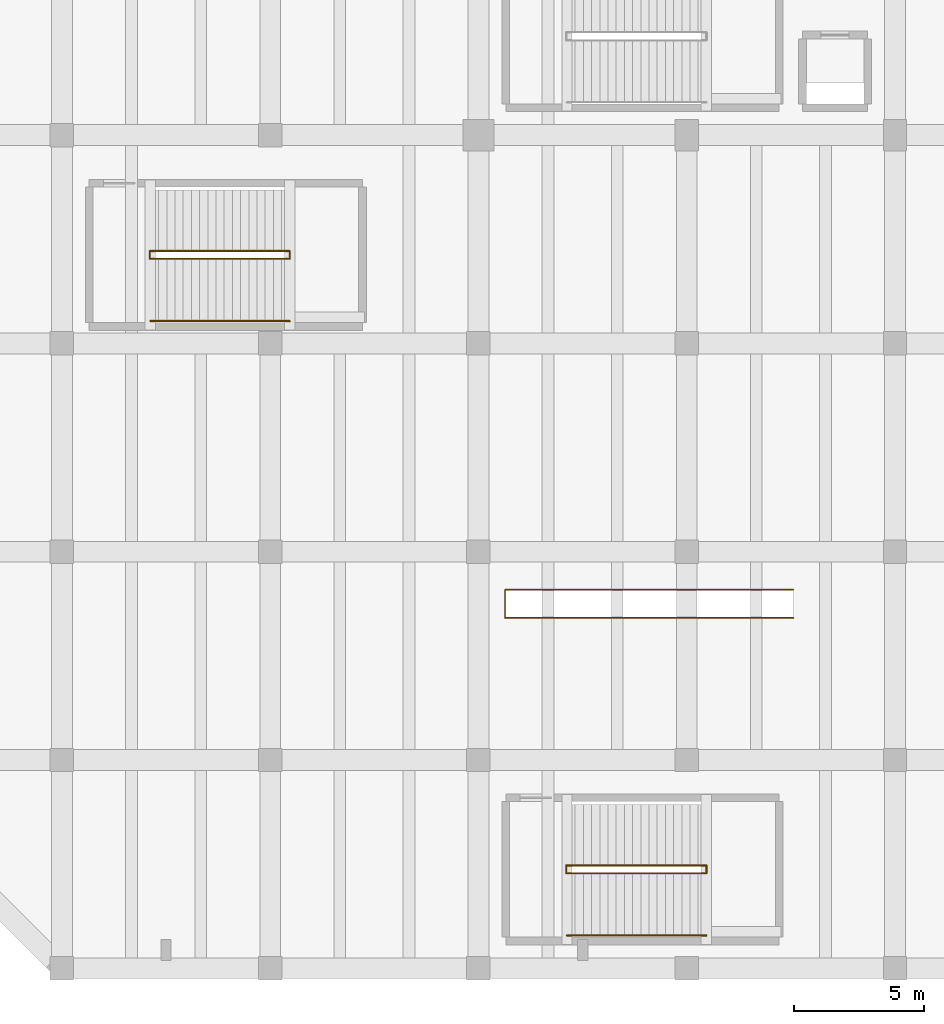
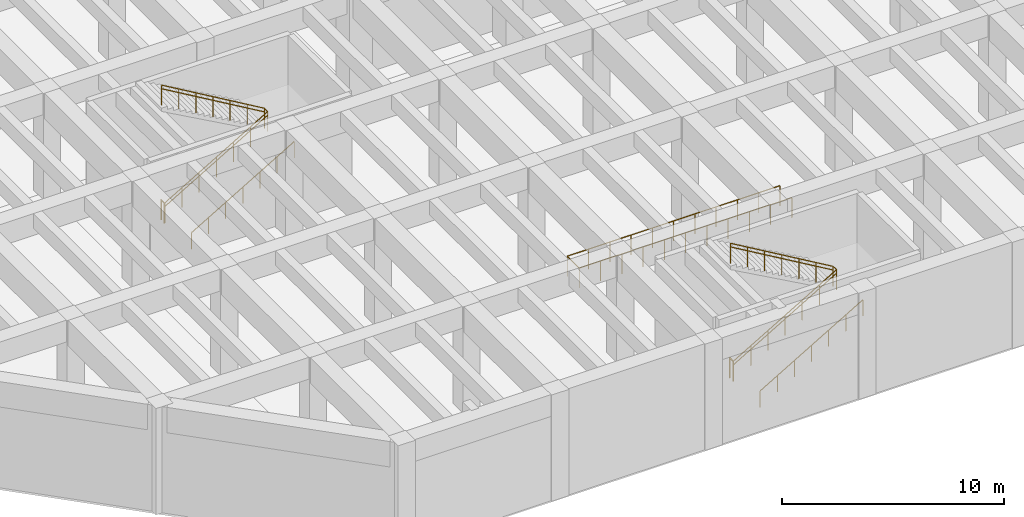
# One storey, part 15 of 24: 13 railings.
"""IFC4 building model written with IfcOpenShell, lengths in metres."""

import ifcopenshell
import ifcopenshell.guid

model = None  # the IFC model being written
_history = None  # IfcOwnerHistory: only IFC2X3 demands one
_inside = {}  # id of a spatial element -> (the spatial element, [elements in it])
_under = {}  # id of a project, library or spatial element -> (it, [spatial elements below it])
_declared = {}  # id of a project -> (the project, [libraries it declares])
_typed = {}  # id of a type object -> (the type object, [elements of that type])
_made_of = {}  # id of a material, layer set ... -> (it, [elements and type objects made of it])


def new_model(schema):
    """Start an empty IFC model of exactly this schema.

    Asked for "IFC4X3", IfcOpenShell would pick the latest addendum, in which some entities
    have other attributes; the version numbers below select the first issue.
    IFC2X3 requires an IfcOwnerHistory on every rooted entity: one is made here for all.
    """
    global model, _history
    if schema == "IFC4X3":
        model = ifcopenshell.file(schema_version=(4, 3, 0, 0))
    else:
        model = ifcopenshell.file(schema=schema)
    _inside.clear()
    _under.clear()
    _declared.clear()
    _typed.clear()
    _made_of.clear()
    _history = None
    if model.schema == "IFC2X3":
        org = make("IfcOrganization", Name="unknown")
        user = make(
            "IfcPersonAndOrganization",
            ThePerson=make("IfcPerson", FamilyName="unknown"),
            TheOrganization=org,
        )
        app = make(
            "IfcApplication",
            ApplicationDeveloper=org,
            Version="unknown",
            ApplicationFullName="unknown",
            ApplicationIdentifier="unknown",
        )
        _history = make(
            "IfcOwnerHistory",
            OwningUser=user,
            OwningApplication=app,
            ChangeAction="ADDED",
            CreationDate=0,
        )
    return model


def make(cls, **values):
    """One entity of the class cls with the attributes given. An attribute that is None is left unset."""
    return model.create_entity(
        cls, **{name: value for name, value in values.items() if value is not None}
    )


def rooted(cls, **values):
    """An entity with a GlobalId (a new one), such as an element, a storey or a relation."""
    return make(cls, GlobalId=ifcopenshell.guid.new(), OwnerHistory=_history, **values)


def si_unit(unit_type, name, prefix=None):
    """IfcSIUnit, for example si_unit("LENGTHUNIT", "METRE", prefix="MILLI")."""
    return make("IfcSIUnit", UnitType=unit_type, Prefix=prefix, Name=name)


def assignment(units):
    """IfcUnitAssignment: the units of a project."""
    return None if units is None else make("IfcUnitAssignment", Units=units)


def point(xyz):
    """IfcCartesianPoint."""
    return None if xyz is None else make("IfcCartesianPoint", Coordinates=xyz)


def direction(xyz):
    """IfcDirection."""
    return None if xyz is None else make("IfcDirection", DirectionRatios=xyz)


def frame(location, z_axis=None, x_axis=None):
    """IfcAxis2Placement3D, a coordinate frame: its origin and axes. An axis left out is left unset."""
    return make(
        "IfcAxis2Placement3D",
        Location=point(location),
        Axis=direction(z_axis),
        RefDirection=direction(x_axis),
    )


def frame_2d(location, x_axis=None):
    """IfcAxis2Placement2D, a coordinate frame in the plane: its origin and x axis."""
    return make(
        "IfcAxis2Placement2D", Location=point(location), RefDirection=direction(x_axis)
    )


def origin():
    """The frame at (0, 0, 0) with its axes left unset."""
    return frame((0.0, 0.0, 0.0))


def origin_2d():
    """The frame at (0, 0) in the plane with its x axis left unset."""
    return frame_2d((0.0, 0.0))


def place(relative_to, where):
    """IfcLocalPlacement: puts the frame where relative to a parent placement (None: the world)."""
    return make(
        "IfcLocalPlacement", PlacementRelTo=relative_to, RelativePlacement=where
    )


def context(
    kind, dimensions, precision=None, world=None, true_north=None, identifier=None
):
    """IfcGeometricRepresentationContext, for example the 3D "Model" context."""
    return make(
        "IfcGeometricRepresentationContext",
        ContextIdentifier=identifier,
        ContextType=kind,
        CoordinateSpaceDimension=dimensions,
        Precision=precision,
        WorldCoordinateSystem=world,
        TrueNorth=true_north,
    )


def subcontext(parent, identifier, kind, view, scale=None):
    """IfcGeometricRepresentationSubContext, for example "Body" below "Model"."""
    return make(
        "IfcGeometricRepresentationSubContext",
        ContextIdentifier=identifier,
        ContextType=kind,
        ParentContext=parent,
        TargetScale=scale,
        TargetView=view,
    )


def project(units=None, contexts=None):
    """IfcProject with its units and contexts."""
    return rooted(
        "IfcProject",
        Name="project",
        RepresentationContexts=contexts,
        UnitsInContext=assignment(units),
    )


def spatial(cls, under=None, at=None, **own):
    """A site, building, storey or space (cls), placed at a placement, below another one or the project."""
    s = rooted(cls, ObjectPlacement=at, **own)
    if under is not None:
        _under.setdefault(under.id(), (under, []))[1].append(s)
    return s


def profile(cls, at=None, kind="AREA", **sizes):
    """A parametric profile (cls). Its sizes go by their IFC names, for example OverallWidth=200.0."""
    return make(cls, ProfileType=kind, Position=at, **sizes)


def circle(**sizes):
    """IfcCircleProfileDef."""
    return profile("IfcCircleProfileDef", **sizes)


def extrude(swept, where, along, depth):
    """IfcExtrudedAreaSolid: the profile swept, set in the frame where, extruded along a direction by depth."""
    return make(
        "IfcExtrudedAreaSolid",
        SweptArea=swept,
        Position=where,
        ExtrudedDirection=direction(along),
        Depth=depth,
    )


def shape(context_of_items, identifier, shape_type, items):
    """IfcShapeRepresentation: the items that make up one representation, for example the "Body"."""
    return make(
        "IfcShapeRepresentation",
        ContextOfItems=context_of_items,
        RepresentationIdentifier=identifier,
        RepresentationType=shape_type,
        Items=items,
    )


def material(Name=None, Category=None):
    """IfcMaterial."""
    return make("IfcMaterial", Name=Name, Category=Category)


def made_of(thing, what):
    """Note that an element or type object is made of a material, layer set ...; save() writes the relation."""
    if what is not None:
        _made_of.setdefault(what.id(), (what, []))[1].append(thing)
    return thing


def type_object(cls, material=None, **own):
    """A type object (cls), such as IfcWallType, which elements share."""
    return made_of(rooted(cls, **own), material)


def element(
    cls,
    number,
    at=None,
    inside=None,
    cuts=None,
    type_object=None,
    material=None,
    context=None,
    identifier="Body",
    shape_type=None,
    held_by="IfcProductDefinitionShape",
    body=None,
    shapes=None,
    **own,
):
    """One element of the class cls, such as IfcWall. Its Tag is "e" and its number.

    at: its placement. inside: the storey or other place that contains it. cuts: it is an
    opening in that element (IfcRelVoidsElement). A single representation is given by context,
    identifier, shape_type and body (its items); several are given by shapes. held_by: the class
    of the entity that holds the representations. save() writes the other relations.
    """
    e = rooted(cls, Tag="e%d" % number, ObjectPlacement=at, **own)
    if body is not None:
        shapes = [shape(context, identifier, shape_type, body)]
    if shapes is not None:
        e.Representation = make(held_by, Representations=shapes)
    if inside is not None:
        _inside.setdefault(inside.id(), (inside, []))[1].append(e)
    if cuts is not None:
        rooted(
            "IfcRelVoidsElement", RelatingBuildingElement=cuts, RelatedOpeningElement=e
        )
    if type_object is not None:
        _typed.setdefault(type_object.id(), (type_object, []))[1].append(e)
    return made_of(e, material)


def aggregate(whole, parts):
    """IfcRelAggregates: a whole, such as a stair, and the parts it consists of."""
    return rooted("IfcRelAggregates", RelatingObject=whole, RelatedObjects=parts)


def save(model, path):
    """Write the relations noted so far, then the file.

    IfcRelAggregates (storeys below a building ...), IfcRelContainedInSpatialStructure (elements
    in a storey), IfcRelDefinesByType, IfcRelAssociatesMaterial and IfcRelDeclares: one each for
    every whole, place, type object, material and project.
    """
    for whole, parts in _under.values():
        aggregate(whole, parts)
    for where, things in _inside.values():
        rooted(
            "IfcRelContainedInSpatialStructure",
            RelatedElements=things,
            RelatingStructure=where,
        )
    for kind, things in _typed.values():
        rooted("IfcRelDefinesByType", RelatedObjects=things, RelatingType=kind)
    for what, things in _made_of.values():
        rooted("IfcRelAssociatesMaterial", RelatedObjects=things, RelatingMaterial=what)
    for by, libraries in _declared.values():
        rooted("IfcRelDeclares", RelatingContext=by, RelatedDefinitions=libraries)
    model.write(path)


model = new_model("IFC4")

# Units and contexts
model_context = context("Model", 3, precision=1e-05, world=origin(), true_north=direction((0.0, 1.0)))
body_context = subcontext(model_context, "Body", "Model", "MODEL_VIEW")
ifc_project = project(units=[si_unit("LENGTHUNIT", "METRE"), si_unit("AREAUNIT", "SQUARE_METRE"), si_unit("VOLUMEUNIT", "CUBIC_METRE"), si_unit("PLANEANGLEUNIT", "RADIAN"), si_unit("MASSUNIT", "GRAM", prefix="KILO")], contexts=[model_context])

# Site, building, storey
site_placement = place(None, origin())
site = spatial("IfcSite", under=ifc_project, at=site_placement, CompositionType="ELEMENT")
building_placement = place(site_placement, origin())
building = spatial("IfcBuilding", under=site, at=building_placement, Name="Varnela Railside Interchange", CompositionType="ELEMENT")
storey_placement = place(building_placement, frame((0.0, 0.0, -6.300048828125)))
storey = spatial("IfcBuildingStorey", under=building, at=storey_placement, Name="B1", CompositionType="ELEMENT", Elevation=-6.300048828125)

# Railings
ifc_material_1 = material(Name="Glass laminated double", Category="glass")
railing_type_1 = type_object("IfcRailingType", Name="Concourse Atrium Balustrade BL-01", PredefinedType="BALUSTRADE", material=ifc_material_1)
railing_1_placement = place(storey_placement, frame((64.10009765625, 19.4599609375, 0.0)))
element("IfcRailing", 1, at=railing_1_placement, inside=storey, type_object=railing_type_1, Name="Escalator Well Balustrade ES1 (RL-0122)", PredefinedType="BALUSTRADE", context=body_context, shape_type="SweptSolid", body=[
    extrude(circle(Radius=0.02392578125, at=origin_2d()), frame((0.0, 0.0, 1.09619140625), z_axis=(-1.0, 0.0, 0.0), x_axis=(0.0, -1.0, 0.0)), (0.0, 0.0, 1.0), 11.080078125),
    extrude(circle(Radius=0.02392578125, at=origin_2d()), frame((-11.080078125, 0.0, 1.09619140625), z_axis=(0.0, 1.0, 0.0), x_axis=(-1.0, 0.0, 0.0)), (0.0, 0.0, 1.0), 1.080078125),
    extrude(circle(Radius=0.02392578125, at=origin_2d()), frame((-11.080078125, 1.080078125, 1.09619140625), z_axis=(1.0, 0.0, 0.0), x_axis=(0.0, 1.0, 0.0)), (0.0, 0.0, 1.0), 11.080078125),
    extrude(circle(Radius=0.02099609375, at=origin_2d()), origin(), (0.0, 0.0, 1.0), 1.072021484375),
    extrude(circle(Radius=0.02099609375, at=origin_2d()), frame((-1.10791015625, 0.0, 0.0)), (0.0, 0.0, 1.0), 1.072021484375),
    extrude(circle(Radius=0.02099609375, at=origin_2d()), frame((-2.216064453125, 0.0, 0.0)), (0.0, 0.0, 1.0), 1.072021484375),
    extrude(circle(Radius=0.02099609375, at=origin_2d()), frame((-3.323974609375, 0.0, 0.0)), (0.0, 0.0, 1.0), 1.072021484375),
    extrude(circle(Radius=0.02099609375, at=origin_2d()), frame((-4.43212890625, 0.0, 0.0)), (0.0, 0.0, 1.0), 1.072021484375),
    extrude(circle(Radius=0.02099609375, at=origin_2d()), frame((-5.5400390625, 0.0, 0.0)), (0.0, 0.0, 1.0), 1.072021484375),
    extrude(circle(Radius=0.02099609375, at=origin_2d()), frame((-6.64794921875, 0.0, 0.0)), (0.0, 0.0, 1.0), 1.072021484375),
    extrude(circle(Radius=0.02099609375, at=origin_2d()), frame((-7.756103515625, 0.0, 0.0)), (0.0, 0.0, 1.0), 1.072021484375),
    extrude(circle(Radius=0.02099609375, at=origin_2d()), frame((-8.864013671875, 0.0, 0.0)), (0.0, 0.0, 1.0), 1.072021484375),
    extrude(circle(Radius=0.02099609375, at=origin_2d()), frame((-9.97216796875, 0.0, 0.0)), (0.0, 0.0, 1.0), 1.072021484375),
    extrude(circle(Radius=0.02099609375, at=origin_2d()), frame((-11.080078125, 0.0, 0.0)), (0.0, 0.0, 1.0), 1.072021484375),
    extrude(circle(Radius=0.02099609375, at=origin_2d()), frame((-11.080078125, 1.080078125, 0.0)), (0.0, 0.0, 1.0), 1.072021484375),
    extrude(circle(Radius=0.02099609375, at=origin_2d()), frame((-9.97216796875, 1.080078125, 0.0)), (0.0, 0.0, 1.0), 1.072021484375),
    extrude(circle(Radius=0.02099609375, at=origin_2d()), frame((-8.864013671875, 1.080078125, 0.0)), (0.0, 0.0, 1.0), 1.072021484375),
    extrude(circle(Radius=0.02099609375, at=origin_2d()), frame((-7.756103515625, 1.080078125, 0.0)), (0.0, 0.0, 1.0), 1.072021484375),
    extrude(circle(Radius=0.02099609375, at=origin_2d()), frame((-6.64794921875, 1.080078125, 0.0)), (0.0, 0.0, 1.0), 1.072021484375),
    extrude(circle(Radius=0.02099609375, at=origin_2d()), frame((-5.5400390625, 1.080078125, 0.0)), (0.0, 0.0, 1.0), 1.072021484375),
    extrude(circle(Radius=0.02099609375, at=origin_2d()), frame((-4.43212890625, 1.080078125, 0.0)), (0.0, 0.0, 1.0), 1.072021484375),
    extrude(circle(Radius=0.02099609375, at=origin_2d()), frame((-3.323974609375, 1.080078125, 0.0)), (0.0, 0.0, 1.0), 1.072021484375),
    extrude(circle(Radius=0.02099609375, at=origin_2d()), frame((-2.216064453125, 1.080078125, 0.0)), (0.0, 0.0, 1.0), 1.072021484375),
    extrude(circle(Radius=0.02099609375, at=origin_2d()), frame((-1.10791015625, 1.080078125, 0.0)), (0.0, 0.0, 1.0), 1.072021484375),
    extrude(circle(Radius=0.02099609375, at=origin_2d()), frame((0.0, 1.080078125, 0.0)), (0.0, 0.0, 1.0), 1.072021484375),
])
ifc_material_2 = material(Name="Steel AR 350 (350 MPa)", Category="steel")
railing_type_2 = type_object("IfcRailingType", Name="Stair & Ramp Pitch Handrail HR-01", PredefinedType="HANDRAIL", material=ifc_material_2)
railing_2_placement = place(storey_placement, frame((39.39990234375, 33.25, 0.0)))
element("IfcRailing", 2, at=railing_2_placement, inside=storey, type_object=railing_type_2, Name="Stair Handrail ST-M1 Flight 1 (RL-0145)", PredefinedType="HANDRAIL", context=body_context, shape_type="SweptSolid", body=[
    extrude(circle(Radius=0.02392578125, at=origin_2d()), frame((0.0, 0.0, 0.89599609375), z_axis=(0.861923102912, 0.0, 0.507039016908), x_axis=(0.0, 1.0, 0.0)), (0.0, 0.0, 1.0), 6.212890625),
    extrude(circle(Radius=0.02099609375, at=origin_2d()), origin(), (0.0, 0.0, 1.0), 0.871826171875),
    extrude(circle(Radius=0.02099609375, at=origin_2d()), frame((0.892578125, 0.0, 0.52490234375)), (0.0, 0.0, 1.0), 0.871826171875),
    extrude(circle(Radius=0.02099609375, at=origin_2d()), frame((1.784912109375, 0.0, 1.050048828125)), (0.0, 0.0, 1.0), 0.871826171875),
    extrude(circle(Radius=0.02099609375, at=origin_2d()), frame((2.677490234375, 0.0, 1.5751953125)), (0.0, 0.0, 1.0), 0.871826171875),
    extrude(circle(Radius=0.02099609375, at=origin_2d()), frame((3.570068359375, 0.0, 2.10009765625)), (0.0, 0.0, 1.0), 0.871826171875),
    extrude(circle(Radius=0.02099609375, at=origin_2d()), frame((4.46240234375, 0.0, 2.625)), (0.0, 0.0, 1.0), 0.871826171875),
    extrude(circle(Radius=0.02099609375, at=origin_2d()), frame((5.35498046875, 0.0, 3.150146484375)), (0.0, 0.0, 1.0), 0.871826171875),
])
railing_3_placement = place(storey_placement, frame((44.7548828125, 33.550048828125, 3.150146484375)))
element("IfcRailing", 3, at=railing_3_placement, inside=storey, type_object=railing_type_2, Name="Stair Handrail ST-M1 Flight 2 (RL-0146)", PredefinedType="HANDRAIL", context=body_context, shape_type="SweptSolid", body=[
    extrude(circle(Radius=0.02392578125, at=origin_2d()), frame((0.0, 0.0, 0.89599609375), z_axis=(-0.861940276329, 0.0, 0.507009822431), x_axis=(0.0, -1.0, 0.0)), (0.0, 0.0, 1.0), 6.212646484375),
    extrude(circle(Radius=0.02099609375, at=origin_2d()), origin(), (0.0, 0.0, 1.0), 0.871826171875),
    extrude(circle(Radius=0.02099609375, at=origin_2d()), frame((-0.892578125, 0.0, 0.52490234375)), (0.0, 0.0, 1.0), 0.871826171875),
    extrude(circle(Radius=0.02099609375, at=origin_2d()), frame((-1.784912109375, 0.0, 1.050048828125)), (0.0, 0.0, 1.0), 0.871826171875),
    extrude(circle(Radius=0.02099609375, at=origin_2d()), frame((-2.677490234375, 0.0, 1.574951171875)), (0.0, 0.0, 1.0), 0.871826171875),
    extrude(circle(Radius=0.02099609375, at=origin_2d()), frame((-3.570068359375, 0.0, 2.099853515625)), (0.0, 0.0, 1.0), 0.871826171875),
    extrude(circle(Radius=0.02099609375, at=origin_2d()), frame((-4.46240234375, 0.0, 2.625)), (0.0, 0.0, 1.0), 0.871826171875),
    extrude(circle(Radius=0.02099609375, at=origin_2d()), frame((-5.35498046875, 0.0, 3.14990234375)), (0.0, 0.0, 1.0), 0.871826171875),
])
railing_4_placement = place(storey_placement, frame((55.39990234375, 9.64990234375, 0.0)))
element("IfcRailing", 4, at=railing_4_placement, inside=storey, type_object=railing_type_2, Name="Stair Handrail ST-M3 Flight 1 (RL-0149)", PredefinedType="HANDRAIL", context=body_context, shape_type="SweptSolid", body=[
    extrude(circle(Radius=0.02392578125, at=origin_2d()), frame((0.0, 0.0, 0.89599609375), z_axis=(0.861923102912, 0.0, 0.507039016908), x_axis=(0.0, 1.0, 0.0)), (0.0, 0.0, 1.0), 6.212890625),
    extrude(circle(Radius=0.02099609375, at=origin_2d()), origin(), (0.0, 0.0, 1.0), 0.871826171875),
    extrude(circle(Radius=0.02099609375, at=origin_2d()), frame((0.892578125, 0.0, 0.52490234375)), (0.0, 0.0, 1.0), 0.871826171875),
    extrude(circle(Radius=0.02099609375, at=origin_2d()), frame((1.784912109375, 0.0, 1.050048828125)), (0.0, 0.0, 1.0), 0.871826171875),
    extrude(circle(Radius=0.02099609375, at=origin_2d()), frame((2.677490234375, 0.0, 1.5751953125)), (0.0, 0.0, 1.0), 0.871826171875),
    extrude(circle(Radius=0.02099609375, at=origin_2d()), frame((3.570068359375, 0.0, 2.10009765625)), (0.0, 0.0, 1.0), 0.871826171875),
    extrude(circle(Radius=0.02099609375, at=origin_2d()), frame((4.46240234375, 0.0, 2.625)), (0.0, 0.0, 1.0), 0.871826171875),
    extrude(circle(Radius=0.02099609375, at=origin_2d()), frame((5.35498046875, 0.0, 3.150146484375)), (0.0, 0.0, 1.0), 0.871826171875),
])
railing_5_placement = place(storey_placement, frame((60.7548828125, 9.949951171875, 3.150146484375)))
element("IfcRailing", 5, at=railing_5_placement, inside=storey, type_object=railing_type_2, Name="Stair Handrail ST-M3 Flight 2 (RL-0150)", PredefinedType="HANDRAIL", context=body_context, shape_type="SweptSolid", body=[
    extrude(circle(Radius=0.02392578125, at=origin_2d()), frame((0.0, 0.0, 0.89599609375), z_axis=(-0.861940276329, 0.0, 0.507009822431), x_axis=(0.0, -1.0, 0.0)), (0.0, 0.0, 1.0), 6.212646484375),
    extrude(circle(Radius=0.02099609375, at=origin_2d()), origin(), (0.0, 0.0, 1.0), 0.871826171875),
    extrude(circle(Radius=0.02099609375, at=origin_2d()), frame((-0.892578125, 0.0, 0.52490234375)), (0.0, 0.0, 1.0), 0.871826171875),
    extrude(circle(Radius=0.02099609375, at=origin_2d()), frame((-1.784912109375, 0.0, 1.050048828125)), (0.0, 0.0, 1.0), 0.871826171875),
    extrude(circle(Radius=0.02099609375, at=origin_2d()), frame((-2.677490234375, 0.0, 1.574951171875)), (0.0, 0.0, 1.0), 0.871826171875),
    extrude(circle(Radius=0.02099609375, at=origin_2d()), frame((-3.570068359375, 0.0, 2.099853515625)), (0.0, 0.0, 1.0), 0.871826171875),
    extrude(circle(Radius=0.02099609375, at=origin_2d()), frame((-4.46240234375, 0.0, 2.625)), (0.0, 0.0, 1.0), 0.871826171875),
    extrude(circle(Radius=0.02099609375, at=origin_2d()), frame((-5.35498046875, 0.0, 3.14990234375)), (0.0, 0.0, 1.0), 0.871826171875),
])
railing_type_3 = type_object("IfcRailingType", Name="Stair Well & Landing Guard GR-02", PredefinedType="GUARDRAIL", material=ifc_material_2)
railing_6_placement = place(storey_placement, frame((39.3701171875, 33.25, 0.0)))
element("IfcRailing", 6, at=railing_6_placement, inside=storey, type_object=railing_type_3, Name="Stair Well Slot Guard ST-M1 on B1 (RL-0103)", PredefinedType="GUARDRAIL", context=body_context, shape_type="SweptSolid", body=[
    extrude(circle(Radius=0.02392578125, at=origin_2d()), frame((0.0, 0.0, 1.09619140625), z_axis=(0.0, 1.0, 0.0), x_axis=(-1.0, 0.0, 0.0)), (0.0, 0.0, 1.0), 0.300048828125),
    extrude(circle(Radius=0.02099609375, at=origin_2d()), origin(), (0.0, 0.0, 1.0), 1.072021484375),
    extrude(circle(Radius=0.02099609375, at=origin_2d()), frame((0.0, 0.300048828125, 0.0)), (0.0, 0.0, 1.0), 1.072021484375),
])
railing_7_placement = place(storey_placement, frame((39.39990234375, 33.25, 0.0)))
element("IfcRailing", 7, at=railing_7_placement, inside=storey, type_object=railing_type_3, Name="Stair Guard ST-M1 Half-Landing (RL-0101)", PredefinedType="GUARDRAIL", context=body_context, shape_type="SweptSolid", body=[
    extrude(circle(Radius=0.02392578125, at=origin_2d()), frame((0.0, 0.0, 1.09619140625), z_axis=(0.861923102912, 0.0, 0.507039016908), x_axis=(0.0, 1.0, 0.0)), (0.0, 0.0, 1.0), 6.212890625),
    extrude(circle(Radius=0.02392578125, at=origin_2d()), frame((5.35498046875, 0.0, 4.24609375), z_axis=(0.0, 1.0, 0.0), x_axis=(-1.0, 0.0, 0.0)), (0.0, 0.0, 1.0), 0.300048828125),
    extrude(circle(Radius=0.02099609375, at=origin_2d()), origin(), (0.0, 0.0, 1.0), 1.072021484375),
    extrude(circle(Radius=0.02099609375, at=origin_2d()), frame((0.892578125, 0.0, 0.52490234375)), (0.0, 0.0, 1.0), 1.072021484375),
    extrude(circle(Radius=0.02099609375, at=origin_2d()), frame((1.784912109375, 0.0, 1.050048828125)), (0.0, 0.0, 1.0), 1.072021484375),
    extrude(circle(Radius=0.02099609375, at=origin_2d()), frame((2.677490234375, 0.0, 1.5751953125)), (0.0, 0.0, 1.0), 1.072021484375),
    extrude(circle(Radius=0.02099609375, at=origin_2d()), frame((3.570068359375, 0.0, 2.10009765625)), (0.0, 0.0, 1.0), 1.072021484375),
    extrude(circle(Radius=0.02099609375, at=origin_2d()), frame((4.46240234375, 0.0, 2.625)), (0.0, 0.0, 1.0), 1.072021484375),
    extrude(circle(Radius=0.02099609375, at=origin_2d()), frame((5.35498046875, 0.0, 3.150146484375)), (0.0, 0.0, 1.0), 1.072021484375),
    extrude(circle(Radius=0.02099609375, at=origin_2d()), frame((5.35498046875, 0.300048828125, 3.150146484375)), (0.0, 0.0, 1.0), 1.072021484375),
])
railing_8_placement = place(storey_placement, frame((44.7548828125, 33.550048828125, 3.150146484375)))
element("IfcRailing", 8, at=railing_8_placement, inside=storey, type_object=railing_type_3, Name="Stair Guard ST-M1 Upper Flight (RL-0102)", PredefinedType="GUARDRAIL", context=body_context, shape_type="SweptSolid", body=[
    extrude(circle(Radius=0.02392578125, at=origin_2d()), frame((0.0, 0.0, 1.09619140625), z_axis=(-0.861940276329, 0.0, 0.507009822431), x_axis=(0.0, -1.0, 0.0)), (0.0, 0.0, 1.0), 6.212646484375),
    extrude(circle(Radius=0.02099609375, at=origin_2d()), origin(), (0.0, 0.0, 1.0), 1.072021484375),
    extrude(circle(Radius=0.02099609375, at=origin_2d()), frame((-0.892578125, 0.0, 0.52490234375)), (0.0, 0.0, 1.0), 1.072021484375),
    extrude(circle(Radius=0.02099609375, at=origin_2d()), frame((-1.784912109375, 0.0, 1.050048828125)), (0.0, 0.0, 1.0), 1.072021484375),
    extrude(circle(Radius=0.02099609375, at=origin_2d()), frame((-2.677490234375, 0.0, 1.574951171875)), (0.0, 0.0, 1.0), 1.072021484375),
    extrude(circle(Radius=0.02099609375, at=origin_2d()), frame((-3.570068359375, 0.0, 2.099853515625)), (0.0, 0.0, 1.0), 1.072021484375),
    extrude(circle(Radius=0.02099609375, at=origin_2d()), frame((-4.46240234375, 0.0, 2.625)), (0.0, 0.0, 1.0), 1.072021484375),
    extrude(circle(Radius=0.02099609375, at=origin_2d()), frame((-5.35498046875, 0.0, 3.14990234375)), (0.0, 0.0, 1.0), 1.072021484375),
])
railing_9_placement = place(storey_placement, frame((55.3701171875, 9.64990234375, 0.0)))
element("IfcRailing", 9, at=railing_9_placement, inside=storey, type_object=railing_type_3, Name="Stair Well Slot Guard ST-M3 on B1 (RL-0109)", PredefinedType="GUARDRAIL", context=body_context, shape_type="SweptSolid", body=[
    extrude(circle(Radius=0.02392578125, at=origin_2d()), frame((0.0, 0.0, 1.09619140625), z_axis=(0.0, 1.0, 0.0), x_axis=(-1.0, 0.0, 0.0)), (0.0, 0.0, 1.0), 0.300048828125),
    extrude(circle(Radius=0.02099609375, at=origin_2d()), origin(), (0.0, 0.0, 1.0), 1.072021484375),
    extrude(circle(Radius=0.02099609375, at=origin_2d()), frame((0.0, 0.300048828125, 0.0)), (0.0, 0.0, 1.0), 1.072021484375),
])
railing_10_placement = place(storey_placement, frame((55.39990234375, 9.64990234375, 0.0)))
element("IfcRailing", 10, at=railing_10_placement, inside=storey, type_object=railing_type_3, Name="Stair Guard ST-M3 Half-Landing (RL-0107)", PredefinedType="GUARDRAIL", context=body_context, shape_type="SweptSolid", body=[
    extrude(circle(Radius=0.02392578125, at=origin_2d()), frame((0.0, 0.0, 1.09619140625), z_axis=(0.861923102912, 0.0, 0.507039016908), x_axis=(0.0, 1.0, 0.0)), (0.0, 0.0, 1.0), 6.212890625),
    extrude(circle(Radius=0.02392578125, at=origin_2d()), frame((5.35498046875, 0.0, 4.24609375), z_axis=(0.0, 1.0, 0.0), x_axis=(-1.0, 0.0, 0.0)), (0.0, 0.0, 1.0), 0.300048828125),
    extrude(circle(Radius=0.02099609375, at=origin_2d()), origin(), (0.0, 0.0, 1.0), 1.072021484375),
    extrude(circle(Radius=0.02099609375, at=origin_2d()), frame((0.892578125, 0.0, 0.52490234375)), (0.0, 0.0, 1.0), 1.072021484375),
    extrude(circle(Radius=0.02099609375, at=origin_2d()), frame((1.784912109375, 0.0, 1.050048828125)), (0.0, 0.0, 1.0), 1.072021484375),
    extrude(circle(Radius=0.02099609375, at=origin_2d()), frame((2.677490234375, 0.0, 1.5751953125)), (0.0, 0.0, 1.0), 1.072021484375),
    extrude(circle(Radius=0.02099609375, at=origin_2d()), frame((3.570068359375, 0.0, 2.10009765625)), (0.0, 0.0, 1.0), 1.072021484375),
    extrude(circle(Radius=0.02099609375, at=origin_2d()), frame((4.46240234375, 0.0, 2.625)), (0.0, 0.0, 1.0), 1.072021484375),
    extrude(circle(Radius=0.02099609375, at=origin_2d()), frame((5.35498046875, 0.0, 3.150146484375)), (0.0, 0.0, 1.0), 1.072021484375),
    extrude(circle(Radius=0.02099609375, at=origin_2d()), frame((5.35498046875, 0.300048828125, 3.150146484375)), (0.0, 0.0, 1.0), 1.072021484375),
])
railing_11_placement = place(storey_placement, frame((60.7548828125, 9.949951171875, 3.150146484375)))
element("IfcRailing", 11, at=railing_11_placement, inside=storey, type_object=railing_type_3, Name="Stair Guard ST-M3 Upper Flight (RL-0108)", PredefinedType="GUARDRAIL", context=body_context, shape_type="SweptSolid", body=[
    extrude(circle(Radius=0.02392578125, at=origin_2d()), frame((0.0, 0.0, 1.09619140625), z_axis=(-0.861940276329, 0.0, 0.507009822431), x_axis=(0.0, -1.0, 0.0)), (0.0, 0.0, 1.0), 6.212646484375),
    extrude(circle(Radius=0.02099609375, at=origin_2d()), origin(), (0.0, 0.0, 1.0), 1.072021484375),
    extrude(circle(Radius=0.02099609375, at=origin_2d()), frame((-0.892578125, 0.0, 0.52490234375)), (0.0, 0.0, 1.0), 1.072021484375),
    extrude(circle(Radius=0.02099609375, at=origin_2d()), frame((-1.784912109375, 0.0, 1.050048828125)), (0.0, 0.0, 1.0), 1.072021484375),
    extrude(circle(Radius=0.02099609375, at=origin_2d()), frame((-2.677490234375, 0.0, 1.574951171875)), (0.0, 0.0, 1.0), 1.072021484375),
    extrude(circle(Radius=0.02099609375, at=origin_2d()), frame((-3.570068359375, 0.0, 2.099853515625)), (0.0, 0.0, 1.0), 1.072021484375),
    extrude(circle(Radius=0.02099609375, at=origin_2d()), frame((-4.46240234375, 0.0, 2.625)), (0.0, 0.0, 1.0), 1.072021484375),
    extrude(circle(Radius=0.02099609375, at=origin_2d()), frame((-5.35498046875, 0.0, 3.14990234375)), (0.0, 0.0, 1.0), 1.072021484375),
])
railing_type_4 = type_object("IfcRailingType", Name="Wall-Mounted Stair Handrail HR-02", PredefinedType="HANDRAIL", material=ifc_material_2)
for number, where, name in (
    (12, (39.39990234375, 30.860107421875, 0.0), "Wall Handrail ST-M1 Flight 1 (RL-0166)"),
    (13, (55.39990234375, 7.260009765625, 0.0), "Wall Handrail ST-M3 Flight 1 (RL-0168)"),
):
    element("IfcRailing", number, at=place(storey_placement, frame(where)), inside=storey, type_object=railing_type_4, Name=name, PredefinedType="HANDRAIL", context=body_context, shape_type="SweptSolid", body=[
        extrude(circle(Radius=0.02392578125, at=origin_2d()), frame((0.0, 0.0, 0.89599609375), z_axis=(0.861923102912, 0.0, 0.507039016908), x_axis=(0.0, 1.0, 0.0)), (0.0, 0.0, 1.0), 6.212890625),
        extrude(circle(Radius=0.02099609375, at=origin_2d()), origin(), (0.0, 0.0, 1.0), 0.871826171875),
        extrude(circle(Radius=0.02099609375, at=origin_2d()), frame((0.892578125, 0.0, 0.52490234375)), (0.0, 0.0, 1.0), 0.871826171875),
        extrude(circle(Radius=0.02099609375, at=origin_2d()), frame((1.784912109375, 0.0, 1.050048828125)), (0.0, 0.0, 1.0), 0.871826171875),
        extrude(circle(Radius=0.02099609375, at=origin_2d()), frame((2.677490234375, 0.0, 1.5751953125)), (0.0, 0.0, 1.0), 0.871826171875),
        extrude(circle(Radius=0.02099609375, at=origin_2d()), frame((3.570068359375, 0.0, 2.10009765625)), (0.0, 0.0, 1.0), 0.871826171875),
        extrude(circle(Radius=0.02099609375, at=origin_2d()), frame((4.46240234375, 0.0, 2.625)), (0.0, 0.0, 1.0), 0.871826171875),
        extrude(circle(Radius=0.02099609375, at=origin_2d()), frame((5.35498046875, 0.0, 3.150146484375)), (0.0, 0.0, 1.0), 0.871826171875),
    ])

save(model, "model.ifc")
